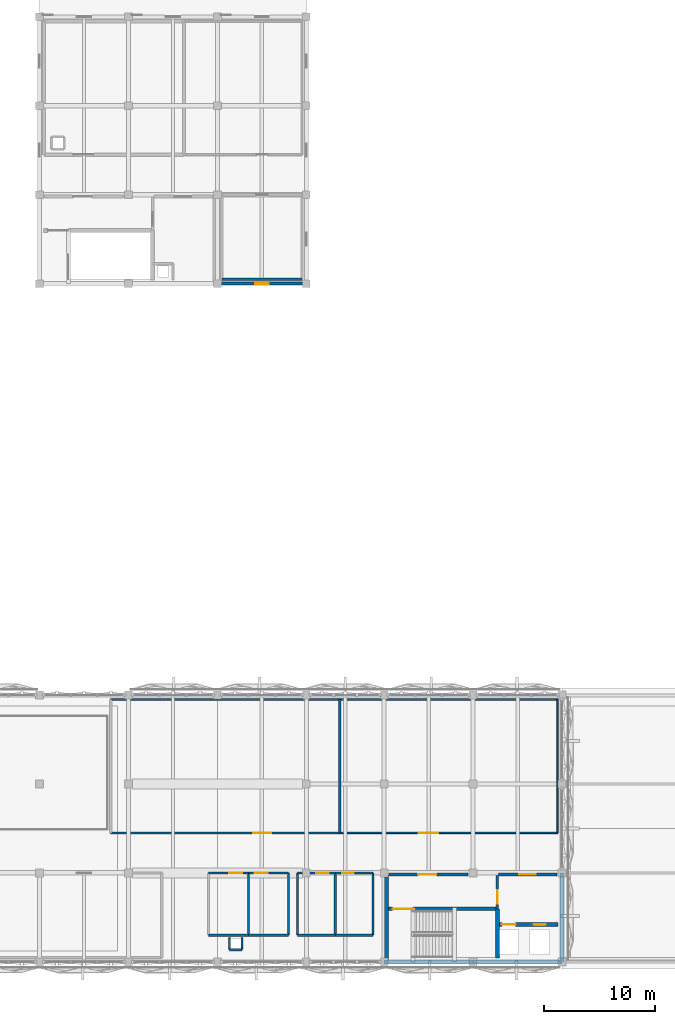
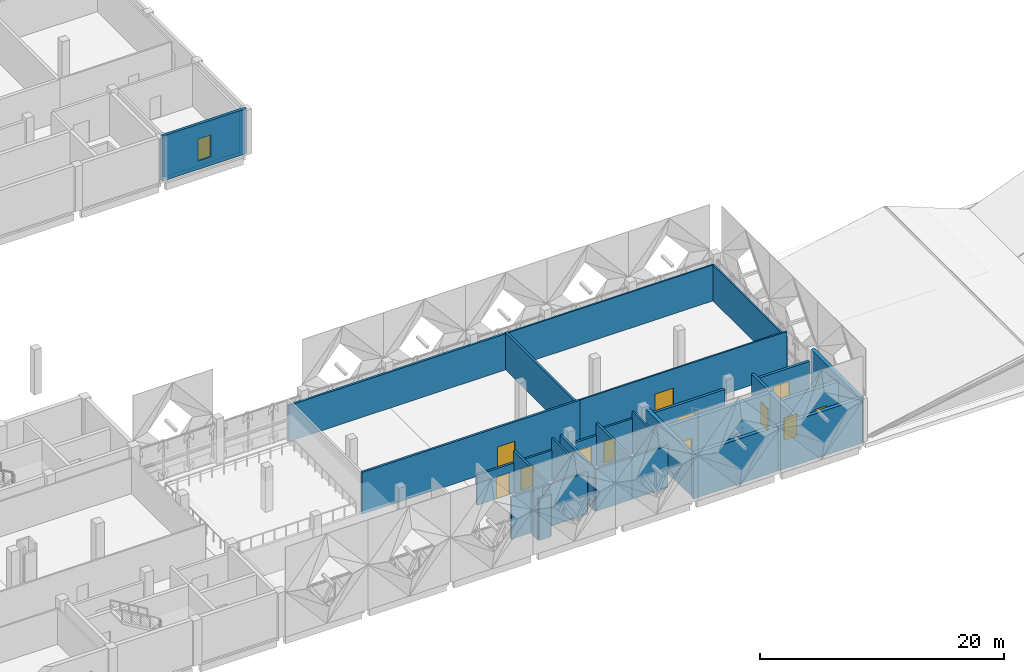
# One storey, part 24 of 37: 34 walls, 12 doors, 1 window, 13 openings.
"""IFC4 building model written with IfcOpenShell, lengths in metres."""

import ifcopenshell
import ifcopenshell.guid

model = None  # the IFC model being written
_history = None  # IfcOwnerHistory: only IFC2X3 demands one
_inside = {}  # id of a spatial element -> (the spatial element, [elements in it])
_under = {}  # id of a project, library or spatial element -> (it, [spatial elements below it])
_declared = {}  # id of a project -> (the project, [libraries it declares])
_typed = {}  # id of a type object -> (the type object, [elements of that type])
_made_of = {}  # id of a material, layer set ... -> (it, [elements and type objects made of it])


def new_model(schema):
    """Start an empty IFC model of exactly this schema.

    Asked for "IFC4X3", IfcOpenShell would pick the latest addendum, in which some entities
    have other attributes; the version numbers below select the first issue.
    IFC2X3 requires an IfcOwnerHistory on every rooted entity: one is made here for all.
    """
    global model, _history
    if schema == "IFC4X3":
        model = ifcopenshell.file(schema_version=(4, 3, 0, 0))
    else:
        model = ifcopenshell.file(schema=schema)
    _inside.clear()
    _under.clear()
    _declared.clear()
    _typed.clear()
    _made_of.clear()
    _history = None
    if model.schema == "IFC2X3":
        org = make("IfcOrganization", Name="unknown")
        user = make(
            "IfcPersonAndOrganization",
            ThePerson=make("IfcPerson", FamilyName="unknown"),
            TheOrganization=org,
        )
        app = make(
            "IfcApplication",
            ApplicationDeveloper=org,
            Version="unknown",
            ApplicationFullName="unknown",
            ApplicationIdentifier="unknown",
        )
        _history = make(
            "IfcOwnerHistory",
            OwningUser=user,
            OwningApplication=app,
            ChangeAction="ADDED",
            CreationDate=0,
        )
    return model


def make(cls, **values):
    """One entity of the class cls with the attributes given. An attribute that is None is left unset."""
    return model.create_entity(
        cls, **{name: value for name, value in values.items() if value is not None}
    )


def rooted(cls, **values):
    """An entity with a GlobalId (a new one), such as an element, a storey or a relation."""
    return make(cls, GlobalId=ifcopenshell.guid.new(), OwnerHistory=_history, **values)


def si_unit(unit_type, name, prefix=None):
    """IfcSIUnit, for example si_unit("LENGTHUNIT", "METRE", prefix="MILLI")."""
    return make("IfcSIUnit", UnitType=unit_type, Prefix=prefix, Name=name)


def assignment(units):
    """IfcUnitAssignment: the units of a project."""
    return None if units is None else make("IfcUnitAssignment", Units=units)


def point(xyz):
    """IfcCartesianPoint."""
    return None if xyz is None else make("IfcCartesianPoint", Coordinates=xyz)


def direction(xyz):
    """IfcDirection."""
    return None if xyz is None else make("IfcDirection", DirectionRatios=xyz)


def frame(location, z_axis=None, x_axis=None):
    """IfcAxis2Placement3D, a coordinate frame: its origin and axes. An axis left out is left unset."""
    return make(
        "IfcAxis2Placement3D",
        Location=point(location),
        Axis=direction(z_axis),
        RefDirection=direction(x_axis),
    )


def frame_2d(location, x_axis=None):
    """IfcAxis2Placement2D, a coordinate frame in the plane: its origin and x axis."""
    return make(
        "IfcAxis2Placement2D", Location=point(location), RefDirection=direction(x_axis)
    )


def origin():
    """The frame at (0, 0, 0) with its axes left unset."""
    return frame((0.0, 0.0, 0.0))


def place(relative_to, where):
    """IfcLocalPlacement: puts the frame where relative to a parent placement (None: the world)."""
    return make(
        "IfcLocalPlacement", PlacementRelTo=relative_to, RelativePlacement=where
    )


def context(
    kind, dimensions, precision=None, world=None, true_north=None, identifier=None
):
    """IfcGeometricRepresentationContext, for example the 3D "Model" context."""
    return make(
        "IfcGeometricRepresentationContext",
        ContextIdentifier=identifier,
        ContextType=kind,
        CoordinateSpaceDimension=dimensions,
        Precision=precision,
        WorldCoordinateSystem=world,
        TrueNorth=true_north,
    )


def subcontext(parent, identifier, kind, view, scale=None):
    """IfcGeometricRepresentationSubContext, for example "Body" below "Model"."""
    return make(
        "IfcGeometricRepresentationSubContext",
        ContextIdentifier=identifier,
        ContextType=kind,
        ParentContext=parent,
        TargetScale=scale,
        TargetView=view,
    )


def project(units=None, contexts=None):
    """IfcProject with its units and contexts."""
    return rooted(
        "IfcProject",
        Name="project",
        RepresentationContexts=contexts,
        UnitsInContext=assignment(units),
    )


def spatial(cls, under=None, at=None, **own):
    """A site, building, storey or space (cls), placed at a placement, below another one or the project."""
    s = rooted(cls, ObjectPlacement=at, **own)
    if under is not None:
        _under.setdefault(under.id(), (under, []))[1].append(s)
    return s


def profile(cls, at=None, kind="AREA", **sizes):
    """A parametric profile (cls). Its sizes go by their IFC names, for example OverallWidth=200.0."""
    return make(cls, ProfileType=kind, Position=at, **sizes)


def rectangle(**sizes):
    """IfcRectangleProfileDef."""
    return profile("IfcRectangleProfileDef", **sizes)


def extrude(swept, where, along, depth):
    """IfcExtrudedAreaSolid: the profile swept, set in the frame where, extruded along a direction by depth."""
    return make(
        "IfcExtrudedAreaSolid",
        SweptArea=swept,
        Position=where,
        ExtrudedDirection=direction(along),
        Depth=depth,
    )


def shape(context_of_items, identifier, shape_type, items):
    """IfcShapeRepresentation: the items that make up one representation, for example the "Body"."""
    return make(
        "IfcShapeRepresentation",
        ContextOfItems=context_of_items,
        RepresentationIdentifier=identifier,
        RepresentationType=shape_type,
        Items=items,
    )


def material(Name=None, Category=None):
    """IfcMaterial."""
    return make("IfcMaterial", Name=Name, Category=Category)


def layer(
    of_material, thickness, ventilated=None, Name=None, Category=None, Priority=None
):
    """IfcMaterialLayer: one layer of a wall or slab, of a material (None: an air gap)."""
    return make(
        "IfcMaterialLayer",
        Material=of_material,
        LayerThickness=thickness,
        IsVentilated=ventilated,
        Name=Name,
        Category=Category,
        Priority=Priority,
    )


def layer_set(layers, Name=None):
    """IfcMaterialLayerSet."""
    return make("IfcMaterialLayerSet", MaterialLayers=layers, LayerSetName=Name)


def made_of(thing, what):
    """Note that an element or type object is made of a material, layer set ...; save() writes the relation."""
    if what is not None:
        _made_of.setdefault(what.id(), (what, []))[1].append(thing)
    return thing


def type_object(cls, material=None, **own):
    """A type object (cls), such as IfcWallType, which elements share."""
    return made_of(rooted(cls, **own), material)


def element(
    cls,
    number,
    at=None,
    inside=None,
    cuts=None,
    type_object=None,
    material=None,
    context=None,
    identifier="Body",
    shape_type=None,
    held_by="IfcProductDefinitionShape",
    body=None,
    shapes=None,
    **own,
):
    """One element of the class cls, such as IfcWall. Its Tag is "e" and its number.

    at: its placement. inside: the storey or other place that contains it. cuts: it is an
    opening in that element (IfcRelVoidsElement). A single representation is given by context,
    identifier, shape_type and body (its items); several are given by shapes. held_by: the class
    of the entity that holds the representations. save() writes the other relations.
    """
    e = rooted(cls, Tag="e%d" % number, ObjectPlacement=at, **own)
    if body is not None:
        shapes = [shape(context, identifier, shape_type, body)]
    if shapes is not None:
        e.Representation = make(held_by, Representations=shapes)
    if inside is not None:
        _inside.setdefault(inside.id(), (inside, []))[1].append(e)
    if cuts is not None:
        rooted(
            "IfcRelVoidsElement", RelatingBuildingElement=cuts, RelatedOpeningElement=e
        )
    if type_object is not None:
        _typed.setdefault(type_object.id(), (type_object, []))[1].append(e)
    return made_of(e, material)


def fill(opening, filler):
    """IfcRelFillsElement: the door or window that sits in an opening."""
    return rooted(
        "IfcRelFillsElement",
        RelatingOpeningElement=opening,
        RelatedBuildingElement=filler,
    )


def aggregate(whole, parts):
    """IfcRelAggregates: a whole, such as a stair, and the parts it consists of."""
    return rooted("IfcRelAggregates", RelatingObject=whole, RelatedObjects=parts)


def save(model, path):
    """Write the relations noted so far, then the file.

    IfcRelAggregates (storeys below a building ...), IfcRelContainedInSpatialStructure (elements
    in a storey), IfcRelDefinesByType, IfcRelAssociatesMaterial and IfcRelDeclares: one each for
    every whole, place, type object, material and project.
    """
    for whole, parts in _under.values():
        aggregate(whole, parts)
    for where, things in _inside.values():
        rooted(
            "IfcRelContainedInSpatialStructure",
            RelatedElements=things,
            RelatingStructure=where,
        )
    for kind, things in _typed.values():
        rooted("IfcRelDefinesByType", RelatedObjects=things, RelatingType=kind)
    for what, things in _made_of.values():
        rooted("IfcRelAssociatesMaterial", RelatedObjects=things, RelatingMaterial=what)
    for by, libraries in _declared.values():
        rooted("IfcRelDeclares", RelatingContext=by, RelatedDefinitions=libraries)
    model.write(path)


model = new_model("IFC4")

# Units and contexts
model_context = context("Model", 3, precision=1e-05, world=origin(), true_north=direction((0.0, 1.0)))
body_context = subcontext(model_context, "Body", "Model", "MODEL_VIEW")
ifc_project = project(units=[si_unit("LENGTHUNIT", "METRE"), si_unit("AREAUNIT", "SQUARE_METRE"), si_unit("VOLUMEUNIT", "CUBIC_METRE"), si_unit("PLANEANGLEUNIT", "RADIAN"), si_unit("MASSUNIT", "GRAM", prefix="KILO")], contexts=[model_context])

# Site, building, storey
site_placement = place(None, origin())
site = spatial("IfcSite", under=ifc_project, at=site_placement, CompositionType="ELEMENT")
building_placement = place(site_placement, origin())
building = spatial("IfcBuilding", under=site, at=building_placement, Name="Qorikala Patio Media Centre", CompositionType="ELEMENT")
storey_placement = place(building_placement, frame((0.0, 0.0, 14.39990234375)))
storey = spatial("IfcBuildingStorey", under=building, at=storey_placement, Name="L03", CompositionType="ELEMENT", Elevation=14.39990234375)

# Walls
ifc_material_1 = material(Name="Concrete C35/45", Category="concrete")
ifc_layer_1 = layer(ifc_material_1, 0.35009765625)
ifc_layer_set_1 = layer_set([ifc_layer_1], Name="Concrete C35/45")
wall_type_1 = type_object("IfcWallType", Name="WL-CORE-350", PredefinedType="SHEAR", material=ifc_layer_set_1)
for number, where, z_axis, x_axis, name in (
    (1, (98.0, 11.0, 0.0), (0.0, 0.0, 1.0), (0.0, -1.0, 0.0), "L03 Core C4 Exterior Shear Wall"),
    (2, (98.0, 3.0, 0.0), (0.0, 0.0, 1.0), (-1.0, 0.0, 0.0), "L03 Core C4 Exterior Shear Wall"),
    (3, (90.0, 3.0, 0.0), (0.0, 0.0, 1.0), (-1.0, 0.0, 0.0), "L03 Core C4 Exterior Shear Wall"),
):
    element("IfcWall", number, at=place(storey_placement, frame(where, z_axis=z_axis, x_axis=x_axis)), inside=storey, type_object=wall_type_1, Name=name, PredefinedType="SHEAR", context=body_context, shape_type="SweptSolid", body=[
        extrude(rectangle(XDim=8.0, YDim=0.35009765625, at=frame_2d((4.0, 0.0))), origin(), (0.0, 0.0, 1.0), 4.5),
    ])
wall_1_placement = place(storey_placement, frame((82.22509765625, 3.199951171875, 0.0), z_axis=(0.0, 0.0, 1.0), x_axis=(0.0, 1.0, 0.0)))
element("IfcWall", 4, at=wall_1_placement, inside=storey, type_object=wall_type_1, Name="L03 Interior Wall CW-L03-C4-SW", PredefinedType="SHEAR", context=body_context, shape_type="SweptSolid", body=[
    extrude(rectangle(XDim=7.60009765625, YDim=0.35009765625, at=frame_2d((3.800048828125, 0.0))), origin(), (0.0, 0.0, 1.0), 4.2001953125),
])
wall_2_placement = place(storey_placement, frame((92.175048828125, 3.35009765625, 0.0), z_axis=(0.0, 0.0, 1.0), x_axis=(0.0, 1.0, 0.0)))
element("IfcWall", 5, at=wall_2_placement, inside=storey, type_object=wall_type_1, Name="L03 Interior Wall CW-L03-C4-SE", PredefinedType="SHEAR", context=body_context, shape_type="SweptSolid", body=[
    extrude(rectangle(XDim=4.4248046875, YDim=0.35009765625, at=frame_2d((2.21240234375, 0.0))), origin(), (0.0, 0.0, 1.0), 4.2001953125),
])

# Wall, opening, door
wall_3_placement = place(storey_placement, frame((82.35009765625, 7.77490234375, 0.0), z_axis=(0.0, 0.0, 1.0), x_axis=(1.0, 0.0, 0.0)))
wall_3 = element("IfcWall", 6, at=wall_3_placement, inside=storey, type_object=wall_type_1, Name="L03 Interior Wall CW-L03-C4-SN", PredefinedType="SHEAR", context=body_context, shape_type="SweptSolid", body=[
    extrude(rectangle(XDim=9.824951171875, YDim=0.35009765625, at=frame_2d((4.91259765625, 0.0))), origin(), (0.0, 0.0, 1.0), 4.2001953125),
])
opening_1_placement = place(wall_3_placement, frame((0.39990234375, 0.0, 0.0)))
opening_1 = element("IfcOpeningElement", 7, at=opening_1_placement, cuts=wall_3, Name="Opening D135", PredefinedType="OPENING", context=body_context, shape_type="SweptSolid", body=[
    extrude(rectangle(XDim=1.85009765625, YDim=2.25, at=frame_2d((0.925048828125, 1.125))), frame((0.0, 0.18505859375, 0.0), z_axis=(0.0, -1.0, 0.0), x_axis=(1.0, 0.0, 0.0)), (0.0, 0.0, 1.0), 0.3701171875),
])
ifc_material_2 = material(Name="Powder-Coated Acoustic Fire Steel", Category="steel")
door_type_1 = type_object("IfcDoorType", Name="DR-FD60-185X225", OperationType="DOUBLE_DOOR_SINGLE_SWING", PredefinedType="DOOR", material=ifc_material_2)
door_1_placement = place(opening_1_placement, origin())
door_1 = element("IfcDoor", 8, at=door_1_placement, inside=storey, type_object=door_type_1, Name="L03 Stair ST-4 Fire Door", OperationType="DOUBLE_DOOR_SINGLE_SWING", OverallHeight=2.25, OverallWidth=1.85009765625, PredefinedType="DOOR", context=body_context, shape_type="SweptSolid", body=[
    extrude(rectangle(XDim=1.85009765625, YDim=2.25, at=frame_2d((0.925048828125, 1.125))), frame((0.0, 0.02490234375, 0.0), z_axis=(0.0, -1.0, 0.0), x_axis=(1.0, 0.0, 0.0)), (0.0, 0.0, 1.0), 0.050048828125),
])
fill(opening_1, door_1)

# Wall, openings, doors
wall_4_placement = place(storey_placement, frame((92.175048828125, 6.375, 0.0), z_axis=(0.0, 0.0, 1.0), x_axis=(1.0, 0.0, 0.0)))
wall_4 = element("IfcWall", 9, at=wall_4_placement, inside=storey, type_object=wall_type_1, Name="L03 Interior Wall CW-L03-C4-LFN", PredefinedType="SHEAR", context=body_context, shape_type="SweptSolid", body=[
    extrude(rectangle(XDim=5.474853515625, YDim=0.35009765625, at=frame_2d((2.7373046875, 0.0))), origin(), (0.0, 0.0, 1.0), 4.2001953125),
])
opening_2_placement = place(wall_4_placement, frame((0.39990234375, 0.0, 0.0)))
opening_2 = element("IfcOpeningElement", 10, at=opening_2_placement, cuts=wall_4, Name="Opening LD37", PredefinedType="OPENING", context=body_context, shape_type="SweptSolid", body=[
    extrude(rectangle(XDim=1.25, YDim=2.25, at=frame_2d((0.625, 1.125))), frame((0.0, 0.18505859375, 0.0), z_axis=(0.0, -1.0, 0.0), x_axis=(1.0, 0.0, 0.0)), (0.0, 0.0, 1.0), 0.3701171875),
])
opening_3_placement = place(wall_4_placement, frame((3.27490234375, 0.0, 0.0)))
opening_3 = element("IfcOpeningElement", 11, at=opening_3_placement, cuts=wall_4, Name="Opening LD38", PredefinedType="OPENING", context=body_context, shape_type="SweptSolid", body=[
    extrude(rectangle(XDim=1.10009765625, YDim=2.199951171875, at=frame_2d((0.550048828125, 1.10009765625))), frame((0.0, 0.18505859375, 0.0), z_axis=(0.0, -1.0, 0.0), x_axis=(1.0, 0.0, 0.0)), (0.0, 0.0, 1.0), 0.3701171875),
])
ifc_material_3 = material(Name="Brushed Bronze Stainless Steel", Category="steel")
door_type_2 = type_object("IfcDoorType", Name="DR-LD-110X220", OperationType="DOUBLE_DOOR_SLIDING", PredefinedType="DOOR", material=ifc_material_3)
door_2_placement = place(opening_3_placement, origin())
door_2 = element("IfcDoor", 12, at=door_2_placement, inside=storey, type_object=door_type_2, Name="L03 Lift LP-02 Sliding Landing Door", OperationType="DOUBLE_DOOR_SLIDING", OverallHeight=2.199951171875, OverallWidth=1.10009765625, PredefinedType="DOOR", context=body_context, shape_type="SweptSolid", body=[
    extrude(rectangle(XDim=1.10009765625, YDim=2.199951171875, at=frame_2d((0.550048828125, 1.10009765625))), frame((0.0, 0.02490234375, 0.0), z_axis=(0.0, -1.0, 0.0), x_axis=(1.0, 0.0, 0.0)), (0.0, 0.0, 1.0), 0.050048828125),
])
fill(opening_3, door_2)
door_type_3 = type_object("IfcDoorType", Name="DR-LD-125X225", OperationType="DOUBLE_DOOR_SLIDING", PredefinedType="DOOR", material=ifc_material_3)
door_3_placement = place(opening_2_placement, origin())
door_3 = element("IfcDoor", 13, at=door_3_placement, inside=storey, type_object=door_type_3, Name="L03 Lift LP-01 Sliding Landing Door", OperationType="DOUBLE_DOOR_SLIDING", OverallHeight=2.25, OverallWidth=1.25, PredefinedType="DOOR", context=body_context, shape_type="SweptSolid", body=[
    extrude(rectangle(XDim=1.25, YDim=2.25, at=frame_2d((0.625, 1.125))), frame((0.0, 0.02490234375, 0.0), z_axis=(0.0, -1.0, 0.0), x_axis=(1.0, 0.0, 0.0)), (0.0, 0.0, 1.0), 0.050048828125),
])
fill(opening_2, door_3)

# Wall, opening, door
ifc_layer_2 = layer(ifc_material_1, 0.25)
ifc_layer_set_2 = layer_set([ifc_layer_2], Name="Concrete C35/45")
wall_type_2 = type_object("IfcWallType", Name="WL-FFL-250", PredefinedType="PARTITIONING", material=ifc_layer_set_2)
wall_5_placement = place(storey_placement, frame((92.175048828125, 7.77490234375, 0.0), z_axis=(0.0, 0.0, 1.0), x_axis=(0.0, 1.0, 0.0)))
wall_5 = element("IfcWall", 14, at=wall_5_placement, inside=storey, type_object=wall_type_2, Name="L03 Interior Wall CW-L03-C4-LBD", PredefinedType="PARTITIONING", context=body_context, shape_type="SweptSolid", body=[
    extrude(rectangle(XDim=2.97509765625, YDim=0.25, at=frame_2d((1.487548828125, 0.0))), origin(), (0.0, 0.0, 1.0), 4.2001953125),
])
opening_4_placement = place(wall_5_placement, frame((0.449951171875, 0.0, 0.0)))
opening_4 = element("IfcOpeningElement", 15, at=opening_4_placement, cuts=wall_5, Name="Opening D136", PredefinedType="OPENING", context=body_context, shape_type="SweptSolid", body=[
    extrude(rectangle(XDim=1.199951171875, YDim=2.199951171875, at=frame_2d((0.60009765625, 1.10009765625))), frame((0.0, 0.135009765625, 0.0), z_axis=(0.0, -1.0, 0.0), x_axis=(1.0, 0.0, 0.0)), (0.0, 0.0, 1.0), 0.27001953125),
])
ifc_material_4 = material(Name="Acoustic Fire Timber and Steel", Category="steel")
door_type_4 = type_object("IfcDoorType", Name="DR-FD60-120X220", OperationType="NOTDEFINED", PredefinedType="DOOR", material=ifc_material_4)
door_4_placement = place(opening_4_placement, origin())
door_4 = element("IfcDoor", 16, at=door_4_placement, inside=storey, type_object=door_type_4, Name="L03 Core C4 Firefighting Lobby Cross Door", OperationType="SINGLE_SWING_LEFT", OverallHeight=2.199951171875, OverallWidth=1.199951171875, PredefinedType="DOOR", context=body_context, shape_type="SweptSolid", body=[
    extrude(rectangle(XDim=1.199951171875, YDim=2.199951171875, at=frame_2d((0.60009765625, 1.10009765625))), frame((0.0, 0.02490234375, 0.0), z_axis=(0.0, -1.0, 0.0), x_axis=(1.0, 0.0, 0.0)), (0.0, 0.0, 1.0), 0.050048828125),
])
fill(opening_4, door_4)

wall_6_placement = place(storey_placement, frame((82.449951171875, 10.85009765625, 0.0), z_axis=(0.0, 0.0, 1.0), x_axis=(1.0, 0.0, 0.0)))
wall_6 = element("IfcWall", 17, at=wall_6_placement, inside=storey, type_object=wall_type_2, Name="L03 Interior Wall CW-L03-C4-CN1", PredefinedType="PARTITIONING", context=body_context, shape_type="SweptSolid", body=[
    extrude(rectangle(XDim=7.10009765625, YDim=0.25, at=frame_2d((3.550048828125, 0.0))), origin(), (0.0, 0.0, 1.0), 3.53515625),
])
opening_5_placement = place(wall_6_placement, frame((2.60009765625, 0.0, 0.0)))
opening_5 = element("IfcOpeningElement", 18, at=opening_5_placement, cuts=wall_6, Name="Opening D137", PredefinedType="OPENING", context=body_context, shape_type="SweptSolid", body=[
    extrude(rectangle(XDim=1.64990234375, YDim=2.25, at=frame_2d((0.824951171875, 1.125))), frame((0.0, 0.135009765625, 0.0), z_axis=(0.0, -1.0, 0.0), x_axis=(1.0, 0.0, 0.0)), (0.0, 0.0, 1.0), 0.27001953125),
])
door_type_5 = type_object("IfcDoorType", Name="DR-FD60-165X225", OperationType="DOUBLE_DOOR_SINGLE_SWING", PredefinedType="DOOR", material=ifc_material_2)
door_5_placement = place(opening_5_placement, frame((1.64990234375, 0.0, 0.0), z_axis=(0.0, 0.0, 1.0), x_axis=(-1.0, 0.0, 0.0)))
door_5 = element("IfcDoor", 19, at=door_5_placement, inside=storey, type_object=door_type_5, Name="L03 Core C4 Vestibule Door", OperationType="DOUBLE_DOOR_SINGLE_SWING", OverallHeight=2.25, OverallWidth=1.64990234375, PredefinedType="DOOR", context=body_context, shape_type="SweptSolid", body=[
    extrude(rectangle(XDim=1.64990234375, YDim=2.25, at=frame_2d((0.824951171875, 1.125))), frame((0.0, 0.02490234375, 0.0), z_axis=(0.0, -1.0, 0.0), x_axis=(1.0, 0.0, 0.0)), (0.0, 0.0, 1.0), 0.050048828125),
])
fill(opening_5, door_5)

wall_7_placement = place(storey_placement, frame((92.300048828125, 10.85009765625, 0.0), z_axis=(0.0, 0.0, 1.0), x_axis=(1.0, 0.0, 0.0)))
wall_7 = element("IfcWall", 20, at=wall_7_placement, inside=storey, type_object=wall_type_2, Name="L03 Interior Wall CW-L03-C4-CN2", PredefinedType="PARTITIONING", context=body_context, shape_type="SweptSolid", body=[
    extrude(rectangle(XDim=5.25, YDim=0.25, at=frame_2d((2.625, 0.0))), origin(), (0.0, 0.0, 1.0), 3.53515625),
])
opening_6_placement = place(wall_7_placement, frame((1.85009765625, 0.0, 0.0)))
opening_6 = element("IfcOpeningElement", 21, at=opening_6_placement, cuts=wall_7, Name="Opening D138", PredefinedType="OPENING", context=body_context, shape_type="SweptSolid", body=[
    extrude(rectangle(XDim=1.5, YDim=2.199951171875, at=frame_2d((0.75, 1.10009765625))), frame((0.0, 0.135009765625, 0.0), z_axis=(0.0, -1.0, 0.0), x_axis=(1.0, 0.0, 0.0)), (0.0, 0.0, 1.0), 0.27001953125),
])
door_type_6 = type_object("IfcDoorType", Name="DR-FD60-150X220", OperationType="DOUBLE_DOOR_SINGLE_SWING", PredefinedType="DOOR", material=ifc_material_2)
door_6_placement = place(opening_6_placement, origin())
door_6 = element("IfcDoor", 22, at=door_6_placement, inside=storey, type_object=door_type_6, Name="L03 Core C4 Firefighting Lobby Door", OperationType="DOUBLE_DOOR_SINGLE_SWING", OverallHeight=2.199951171875, OverallWidth=1.5, PredefinedType="DOOR", context=body_context, shape_type="SweptSolid", body=[
    extrude(rectangle(XDim=1.5, YDim=2.199951171875, at=frame_2d((0.75, 1.10009765625))), frame((0.0, 0.02490234375, 0.0), z_axis=(0.0, -1.0, 0.0), x_axis=(1.0, 0.0, 0.0)), (0.0, 0.0, 1.0), 0.050048828125),
])
fill(opening_6, door_6)

# Wall, opening, window
ifc_material_5 = material(Name="Warm Ochre Lime Stucco and Concrete C35/45", Category="concrete")
ifc_layer_3 = layer(ifc_material_5, 0.280029296875)
ifc_layer_set_3 = layer_set([ifc_layer_3], Name="Warm Ochre Lime Stucco and Concrete C35/45")
wall_type_3 = type_object("IfcWallType", Name="WL-OCHRE-280", PredefinedType="SOLIDWALL", material=ifc_layer_set_3)
wall_8_placement = place(storey_placement, frame((75.0, 64.0, 0.0), z_axis=(0.0, 0.0, 1.0), x_axis=(-1.0, 0.0, 0.0)))
wall_8 = element("IfcWall", 23, at=wall_8_placement, inside=storey, type_object=wall_type_3, Name="L03 Exterior Wall WL-L03-EXT-0038", PredefinedType="SOLIDWALL", context=body_context, shape_type="SweptSolid", body=[
    extrude(rectangle(XDim=8.0, YDim=0.280029296875, at=frame_2d((4.0, 0.0))), origin(), (0.0, 0.0, 1.0), 4.5),
])
opening_7_placement = place(wall_8_placement, frame((3.39990234375, 0.0, 0.85009765625)))
opening_7 = element("IfcOpeningElement", 24, at=opening_7_placement, cuts=wall_8, Name="Opening WC-120", PredefinedType="OPENING", context=body_context, shape_type="SweptSolid", body=[
    extrude(rectangle(XDim=1.199951171875, YDim=2.199951171875, at=frame_2d((0.60009765625, 1.10009765625))), frame((0.0, 0.14990234375, 0.0), z_axis=(0.0, -1.0, 0.0), x_axis=(1.0, 0.0, 0.0)), (0.0, 0.0, 1.0), 0.300048828125),
])
ifc_material_6 = material(Name="Bronze Anodised Aluminium and Low-E Glass", Category="aluminium")
window_type = type_object("IfcWindowType", Name="WN-COL-120X220", PartitioningType="SINGLE_PANEL", PredefinedType="WINDOW", material=ifc_material_6)
window_placement = place(opening_7_placement, origin())
window = element("IfcWindow", 25, at=window_placement, inside=storey, type_object=window_type, Name="L03 Colonial Tall Window 0210", OverallHeight=2.199951171875, OverallWidth=1.199951171875, PartitioningType="SINGLE_PANEL", PredefinedType="WINDOW", context=body_context, shape_type="SweptSolid", body=[
    extrude(rectangle(XDim=1.199951171875, YDim=2.199951171875, at=frame_2d((0.60009765625, 1.10009765625))), frame((0.0, 0.030029296875, 0.0), z_axis=(0.0, -1.0, 0.0), x_axis=(1.0, 0.0, 0.0)), (0.0, 0.0, 1.0), 0.06005859375),
])
fill(opening_7, window)

# Wall, opening, door
ifc_material_7 = material(Name="Acoustic Gypsum Stud Partition")
ifc_layer_4 = layer(ifc_material_7, 0.14990234375)
ifc_layer_set_4 = layer_set([ifc_layer_4], Name="Acoustic Gypsum Stud Partition")
wall_type_4 = type_object("IfcWallType", Name="WL-PT-150", PredefinedType="PARTITIONING", material=ifc_layer_set_4)
wall_9_placement = place(storey_placement, frame((78.0, 14.60009765625, 0.0), z_axis=(0.0, 0.0, 1.0), x_axis=(1.0, 0.0, 0.0)))
wall_9 = element("IfcWall", 26, at=wall_9_placement, inside=storey, type_object=wall_type_4, Name="L03 Interior Wall WINT-L03-VCAR-S", PredefinedType="PARTITIONING", context=body_context, shape_type="SweptSolid", body=[
    extrude(rectangle(XDim=19.60009765625, YDim=0.14990234375, at=frame_2d((9.800048828125, 0.0))), origin(), (0.0, 0.0, 1.0), 4.2001953125),
])
opening_8_placement = place(wall_9_placement, frame((7.10888671875, 0.0, 0.0)))
opening_8 = element("IfcOpeningElement", 27, at=opening_8_placement, cuts=wall_9, Name="Opening D288", PredefinedType="OPENING", context=body_context, shape_type="SweptSolid", body=[
    extrude(rectangle(XDim=1.75, YDim=2.300048828125, at=frame_2d((0.875, 1.14990234375))), frame((0.0, 0.0849609375, 0.0), z_axis=(0.0, -1.0, 0.0), x_axis=(1.0, 0.0, 0.0)), (0.0, 0.0, 1.0), 0.169921875),
])
ifc_material_8 = material(Name="Solid Andean Cedar Timber", Category="wood")
door_type_7 = type_object("IfcDoorType", Name="DR-IN-175X230", OperationType="DOUBLE_DOOR_SINGLE_SWING", PredefinedType="DOOR", material=ifc_material_8)
door_7_placement = place(opening_8_placement, origin())
door_7 = element("IfcDoor", 28, at=door_7_placement, inside=storey, type_object=door_type_7, Name="Viewing Carrels and Listening Lounge Door 077", OperationType="DOUBLE_DOOR_SINGLE_SWING", OverallHeight=2.300048828125, OverallWidth=1.75, PredefinedType="DOOR", context=body_context, shape_type="SweptSolid", body=[
    extrude(rectangle(XDim=1.75, YDim=2.300048828125, at=frame_2d((0.875, 1.14990234375))), frame((0.0, 0.02490234375, 0.0), z_axis=(0.0, -1.0, 0.0), x_axis=(1.0, 0.0, 0.0)), (0.0, 0.0, 1.0), 0.050048828125),
])
fill(opening_8, door_7)

# Walls
wall_10_placement = place(storey_placement, frame((97.60009765625, 14.60009765625, 0.0), z_axis=(0.0, 0.0, 1.0), x_axis=(0.0, 1.0, 0.0)))
element("IfcWall", 29, at=wall_10_placement, inside=storey, type_object=wall_type_4, Name="L03 Interior Wall WINT-L03-VCAR-E", PredefinedType="PARTITIONING", context=body_context, shape_type="SweptSolid", body=[
    extrude(rectangle(XDim=12.0, YDim=0.14990234375, at=frame_2d((6.0, 0.0))), origin(), (0.0, 0.0, 1.0), 3.60498046875),
])
wall_11_placement = place(storey_placement, frame((78.0, 26.60009765625, 0.0), z_axis=(0.0, 0.0, 1.0), x_axis=(1.0, 0.0, 0.0)))
element("IfcWall", 30, at=wall_11_placement, inside=storey, type_object=wall_type_4, Name="L03 Interior Wall WINT-L03-VCAR-N", PredefinedType="PARTITIONING", context=body_context, shape_type="SweptSolid", body=[
    extrude(rectangle(XDim=19.60009765625, YDim=0.14990234375, at=frame_2d((9.800048828125, 0.0))), origin(), (0.0, 0.0, 1.0), 3.60498046875),
])

# Wall, opening, door
ifc_material_9 = material(Name="Acoustic Masonry and Plaster Concrete C30/37", Category="masonry")
ifc_layer_5 = layer(ifc_material_9, 0.199951171875)
ifc_layer_set_5 = layer_set([ifc_layer_5], Name="Acoustic Masonry and Plaster Concrete C30/37")
wall_type_5 = type_object("IfcWallType", Name="WL-ST-200", PredefinedType="PARTITIONING", material=ifc_layer_set_5)
wall_12_placement = place(storey_placement, frame((57.39990234375, 14.60009765625, 0.0), z_axis=(0.0, 0.0, 1.0), x_axis=(1.0, 0.0, 0.0)))
wall_12 = element("IfcWall", 31, at=wall_12_placement, inside=storey, type_object=wall_type_5, Name="L03 Interior Wall WINT-L03-LSTK-S", PredefinedType="PARTITIONING", context=body_context, shape_type="SweptSolid", body=[
    extrude(rectangle(XDim=20.60009765625, YDim=0.199951171875, at=frame_2d((10.300048828125, 0.0))), origin(), (0.0, 0.0, 1.0), 4.2001953125),
])
opening_9_placement = place(wall_12_placement, frame((12.802978515625, 0.0, 0.0)))
opening_9 = element("IfcOpeningElement", 32, at=opening_9_placement, cuts=wall_12, Name="Opening D287", PredefinedType="OPENING", context=body_context, shape_type="SweptSolid", body=[
    extrude(rectangle(XDim=1.64990234375, YDim=2.25, at=frame_2d((0.824951171875, 1.125))), frame((0.0, 0.10986328125, 0.0), z_axis=(0.0, -1.0, 0.0), x_axis=(1.0, 0.0, 0.0)), (0.0, 0.0, 1.0), 0.219970703125),
])
door_8_placement = place(opening_9_placement, origin())
door_8 = element("IfcDoor", 33, at=door_8_placement, inside=storey, type_object=door_type_5, Name="Media Library Stacks Door 076", OperationType="DOUBLE_DOOR_SINGLE_SWING", OverallHeight=2.25, OverallWidth=1.64990234375, PredefinedType="DOOR", context=body_context, shape_type="SweptSolid", body=[
    extrude(rectangle(XDim=1.64990234375, YDim=2.25, at=frame_2d((0.824951171875, 1.125))), frame((0.0, 0.02490234375, 0.0), z_axis=(0.0, -1.0, 0.0), x_axis=(1.0, 0.0, 0.0)), (0.0, 0.0, 1.0), 0.050048828125),
])
fill(opening_9, door_8)

# Walls
wall_13_placement = place(storey_placement, frame((78.0, 14.60009765625, 0.0), z_axis=(0.0, 0.0, 1.0), x_axis=(0.0, 1.0, 0.0)))
element("IfcWall", 34, at=wall_13_placement, inside=storey, type_object=wall_type_5, Name="L03 Interior Wall WINT-L03-LSTK-E", PredefinedType="PARTITIONING", context=body_context, shape_type="SweptSolid", body=[
    extrude(rectangle(XDim=12.0, YDim=0.199951171875, at=frame_2d((6.0, 0.0))), origin(), (0.0, 0.0, 1.0), 3.705078125),
])
wall_14_placement = place(storey_placement, frame((57.39990234375, 26.60009765625, 0.0), z_axis=(0.0, 0.0, 1.0), x_axis=(1.0, 0.0, 0.0)))
element("IfcWall", 35, at=wall_14_placement, inside=storey, type_object=wall_type_5, Name="L03 Interior Wall WINT-L03-LSTK-N", PredefinedType="PARTITIONING", context=body_context, shape_type="SweptSolid", body=[
    extrude(rectangle(XDim=20.60009765625, YDim=0.199951171875, at=frame_2d((10.300048828125, 0.0))), origin(), (0.0, 0.0, 1.0), 3.60498046875),
])
wall_15_placement = place(storey_placement, frame((66.199951171875, 5.39990234375, 0.0), z_axis=(0.0, 0.0, 1.0), x_axis=(1.0, 0.0, 0.0)))
element("IfcWall", 36, at=wall_15_placement, inside=storey, type_object=wall_type_5, Name="L03 Interior Wall WINT-L03-L3WMWC-S", PredefinedType="PARTITIONING", context=body_context, shape_type="SweptSolid", body=[
    extrude(rectangle(XDim=3.60009765625, YDim=0.199951171875, at=frame_2d((1.800048828125, 0.0))), origin(), (0.0, 0.0, 1.0), 4.2001953125),
])
wall_16_placement = place(storey_placement, frame((69.800048828125, 5.39990234375, 0.0), z_axis=(0.0, 0.0, 1.0), x_axis=(0.0, 1.0, 0.0)))
element("IfcWall", 37, at=wall_16_placement, inside=storey, type_object=wall_type_5, Name="L03 Interior Wall WINT-L03-L3WMWC-E", PredefinedType="PARTITIONING", context=body_context, shape_type="SweptSolid", body=[
    extrude(rectangle(XDim=5.60009765625, YDim=0.199951171875, at=frame_2d((2.800048828125, 0.0))), origin(), (0.0, 0.0, 1.0), 4.2001953125),
])

# Wall, opening, door
wall_17_placement = place(storey_placement, frame((66.199951171875, 11.0, 0.0), z_axis=(0.0, 0.0, 1.0), x_axis=(1.0, 0.0, 0.0)))
wall_17 = element("IfcWall", 38, at=wall_17_placement, inside=storey, type_object=wall_type_5, Name="L03 Interior Wall WINT-L03-L3WMWC-N", PredefinedType="PARTITIONING", context=body_context, shape_type="SweptSolid", body=[
    extrude(rectangle(XDim=3.60009765625, YDim=0.199951171875, at=frame_2d((1.800048828125, 0.0))), origin(), (0.0, 0.0, 1.0), 3.03515625),
])
opening_10_placement = place(wall_17_placement, frame((1.85009765625, 0.0, 0.0)))
opening_10 = element("IfcOpeningElement", 39, at=opening_10_placement, cuts=wall_17, Name="Opening D290", PredefinedType="OPENING", context=body_context, shape_type="SweptSolid", body=[
    extrude(rectangle(XDim=1.199951171875, YDim=2.199951171875, at=frame_2d((0.60009765625, 1.10009765625))), frame((0.0, 0.10986328125, 0.0), z_axis=(0.0, -1.0, 0.0), x_axis=(1.0, 0.0, 0.0)), (0.0, 0.0, 1.0), 0.219970703125),
])
door_9_placement = place(opening_10_placement, origin())
door_9 = element("IfcDoor", 40, at=door_9_placement, inside=storey, type_object=door_type_4, Name="Male Toilet Door 079", OperationType="SINGLE_SWING_LEFT", OverallHeight=2.199951171875, OverallWidth=1.199951171875, PredefinedType="DOOR", context=body_context, shape_type="SweptSolid", body=[
    extrude(rectangle(XDim=1.199951171875, YDim=2.199951171875, at=frame_2d((0.60009765625, 1.10009765625))), frame((0.0, 0.02490234375, 0.0), z_axis=(0.0, -1.0, 0.0), x_axis=(1.0, 0.0, 0.0)), (0.0, 0.0, 1.0), 0.050048828125),
])
fill(opening_10, door_9)

# Walls
wall_18_placement = place(storey_placement, frame((69.800048828125, 5.39990234375, 0.0), z_axis=(0.0, 0.0, 1.0), x_axis=(1.0, 0.0, 0.0)))
element("IfcWall", 41, at=wall_18_placement, inside=storey, type_object=wall_type_5, Name="L03 Interior Wall WINT-L03-L3WFWC-S", PredefinedType="PARTITIONING", context=body_context, shape_type="SweptSolid", body=[
    extrude(rectangle(XDim=3.599853515625, YDim=0.199951171875, at=frame_2d((1.7998046875, 0.0))), origin(), (0.0, 0.0, 1.0), 4.2001953125),
])
wall_19_placement = place(storey_placement, frame((73.39990234375, 5.39990234375, 0.0), z_axis=(0.0, 0.0, 1.0), x_axis=(0.0, 1.0, 0.0)))
element("IfcWall", 42, at=wall_19_placement, inside=storey, type_object=wall_type_5, Name="L03 Interior Wall WINT-L03-L3WFWC-E", PredefinedType="PARTITIONING", context=body_context, shape_type="SweptSolid", body=[
    extrude(rectangle(XDim=5.60009765625, YDim=0.199951171875, at=frame_2d((2.800048828125, 0.0))), origin(), (0.0, 0.0, 1.0), 4.2001953125),
])

# Wall, opening, door
wall_20_placement = place(storey_placement, frame((69.800048828125, 11.0, 0.0), z_axis=(0.0, 0.0, 1.0), x_axis=(1.0, 0.0, 0.0)))
wall_20 = element("IfcWall", 43, at=wall_20_placement, inside=storey, type_object=wall_type_5, Name="L03 Interior Wall WINT-L03-L3WFWC-N", PredefinedType="PARTITIONING", context=body_context, shape_type="SweptSolid", body=[
    extrude(rectangle(XDim=3.599853515625, YDim=0.199951171875, at=frame_2d((1.7998046875, 0.0))), origin(), (0.0, 0.0, 1.0), 3.03515625),
])
opening_11_placement = place(wall_20_placement, frame((0.574951171875, 0.0, 0.0)))
opening_11 = element("IfcOpeningElement", 44, at=opening_11_placement, cuts=wall_20, Name="Opening D291", PredefinedType="OPENING", context=body_context, shape_type="SweptSolid", body=[
    extrude(rectangle(XDim=1.14990234375, YDim=2.179931640625, at=frame_2d((0.574951171875, 1.08984375))), frame((0.0, 0.10986328125, 0.0), z_axis=(0.0, -1.0, 0.0), x_axis=(1.0, 0.0, 0.0)), (0.0, 0.0, 1.0), 0.219970703125),
])
door_type_8 = type_object("IfcDoorType", Name="DR-FD60-115X218", OperationType="NOTDEFINED", PredefinedType="DOOR", material=ifc_material_4)
door_10_placement = place(opening_11_placement, origin())
door_10 = element("IfcDoor", 45, at=door_10_placement, inside=storey, type_object=door_type_8, Name="Female Toilet Door 080", OperationType="SINGLE_SWING_RIGHT", OverallHeight=2.179931640625, OverallWidth=1.14990234375, PredefinedType="DOOR", context=body_context, shape_type="SweptSolid", body=[
    extrude(rectangle(XDim=1.14990234375, YDim=2.179931640625, at=frame_2d((0.574951171875, 1.08984375))), frame((0.0, 0.02490234375, 0.0), z_axis=(0.0, -1.0, 0.0), x_axis=(1.0, 0.0, 0.0)), (0.0, 0.0, 1.0), 0.050048828125),
])
fill(opening_11, door_10)

# Walls
wall_21_placement = place(storey_placement, frame((74.199951171875, 5.39990234375, 0.0), z_axis=(0.0, 0.0, 1.0), x_axis=(1.0, 0.0, 0.0)))
element("IfcWall", 46, at=wall_21_placement, inside=storey, type_object=wall_type_5, Name="L03 Interior Wall WINT-L03-L3WAWC-S", PredefinedType="PARTITIONING", context=body_context, shape_type="SweptSolid", body=[
    extrude(rectangle(XDim=3.400146484375, YDim=0.199951171875, at=frame_2d((1.7001953125, 0.0))), origin(), (0.0, 0.0, 1.0), 4.2001953125),
])
wall_22_placement = place(storey_placement, frame((77.60009765625, 5.39990234375, 0.0), z_axis=(0.0, 0.0, 1.0), x_axis=(0.0, 1.0, 0.0)))
element("IfcWall", 47, at=wall_22_placement, inside=storey, type_object=wall_type_5, Name="L03 Interior Wall WINT-L03-L3WAWC-E", PredefinedType="PARTITIONING", context=body_context, shape_type="SweptSolid", body=[
    extrude(rectangle(XDim=5.60009765625, YDim=0.199951171875, at=frame_2d((2.800048828125, 0.0))), origin(), (0.0, 0.0, 1.0), 4.2001953125),
])

# Wall, opening, door
wall_23_placement = place(storey_placement, frame((74.199951171875, 11.0, 0.0), z_axis=(0.0, 0.0, 1.0), x_axis=(1.0, 0.0, 0.0)))
wall_23 = element("IfcWall", 48, at=wall_23_placement, inside=storey, type_object=wall_type_5, Name="L03 Interior Wall WINT-L03-L3WAWC-N", PredefinedType="PARTITIONING", context=body_context, shape_type="SweptSolid", body=[
    extrude(rectangle(XDim=3.400146484375, YDim=0.199951171875, at=frame_2d((1.7001953125, 0.0))), origin(), (0.0, 0.0, 1.0), 3.03515625),
])
opening_12_placement = place(wall_23_placement, frame((1.699951171875, 0.0, 0.0)))
opening_12 = element("IfcOpeningElement", 49, at=opening_12_placement, cuts=wall_23, Name="Opening D292", PredefinedType="OPENING", context=body_context, shape_type="SweptSolid", body=[
    extrude(rectangle(XDim=1.10009765625, YDim=2.14990234375, at=frame_2d((0.550048828125, 1.074951171875))), frame((0.0, 0.10986328125, 0.0), z_axis=(0.0, -1.0, 0.0), x_axis=(1.0, 0.0, 0.0)), (0.0, 0.0, 1.0), 0.219970703125),
])
door_type_9 = type_object("IfcDoorType", Name="DR-FD60-110X215", OperationType="NOTDEFINED", PredefinedType="DOOR", material=ifc_material_4)
door_11_placement = place(opening_12_placement, origin())
door_11 = element("IfcDoor", 50, at=door_11_placement, inside=storey, type_object=door_type_9, Name="Accessible Toilet Door 081", OperationType="SINGLE_SWING_LEFT", OverallHeight=2.14990234375, OverallWidth=1.10009765625, PredefinedType="DOOR", context=body_context, shape_type="SweptSolid", body=[
    extrude(rectangle(XDim=1.10009765625, YDim=2.14990234375, at=frame_2d((0.550048828125, 1.074951171875))), frame((0.0, 0.02490234375, 0.0), z_axis=(0.0, -1.0, 0.0), x_axis=(1.0, 0.0, 0.0)), (0.0, 0.0, 1.0), 0.050048828125),
])
fill(opening_12, door_11)

# Walls
wall_24_placement = place(storey_placement, frame((74.199951171875, 5.39990234375, 0.0), z_axis=(0.0, 0.0, 1.0), x_axis=(0.0, 1.0, 0.0)))
element("IfcWall", 51, at=wall_24_placement, inside=storey, type_object=wall_type_5, Name="L03 Interior Wall WINT-L03-L3WAWC-W", PredefinedType="PARTITIONING", context=body_context, shape_type="SweptSolid", body=[
    extrude(rectangle(XDim=5.60009765625, YDim=0.199951171875, at=frame_2d((2.800048828125, 0.0))), origin(), (0.0, 0.0, 1.0), 4.2001953125),
])
wall_25_placement = place(storey_placement, frame((77.60009765625, 5.39990234375, 0.0), z_axis=(0.0, 0.0, 1.0), x_axis=(1.0, 0.0, 0.0)))
element("IfcWall", 52, at=wall_25_placement, inside=storey, type_object=wall_type_5, Name="L03 Interior Wall WINT-L03-L3WSTR-S", PredefinedType="PARTITIONING", context=body_context, shape_type="SweptSolid", body=[
    extrude(rectangle(XDim=3.39990234375, YDim=0.199951171875, at=frame_2d((1.699951171875, 0.0))), origin(), (0.0, 0.0, 1.0), 4.2001953125),
])
wall_26_placement = place(storey_placement, frame((81.0, 5.39990234375, 0.0), z_axis=(0.0, 0.0, 1.0), x_axis=(0.0, 1.0, 0.0)))
element("IfcWall", 53, at=wall_26_placement, inside=storey, type_object=wall_type_5, Name="L03 Interior Wall WINT-L03-L3WSTR-E", PredefinedType="PARTITIONING", context=body_context, shape_type="SweptSolid", body=[
    extrude(rectangle(XDim=5.60009765625, YDim=0.199951171875, at=frame_2d((2.800048828125, 0.0))), origin(), (0.0, 0.0, 1.0), 4.2001953125),
])

# Wall, opening, door
wall_27_placement = place(storey_placement, frame((77.60009765625, 11.0, 0.0), z_axis=(0.0, 0.0, 1.0), x_axis=(1.0, 0.0, 0.0)))
wall_27 = element("IfcWall", 54, at=wall_27_placement, inside=storey, type_object=wall_type_5, Name="L03 Interior Wall WINT-L03-L3WSTR-N", PredefinedType="PARTITIONING", context=body_context, shape_type="SweptSolid", body=[
    extrude(rectangle(XDim=3.39990234375, YDim=0.199951171875, at=frame_2d((1.699951171875, 0.0))), origin(), (0.0, 0.0, 1.0), 3.53515625),
])
opening_13_placement = place(wall_27_placement, frame((0.625, 0.0, 0.0)))
opening_13 = element("IfcOpeningElement", 55, at=opening_13_placement, cuts=wall_27, Name="Opening D293", PredefinedType="OPENING", context=body_context, shape_type="SweptSolid", body=[
    extrude(rectangle(XDim=1.050048828125, YDim=2.159912109375, at=frame_2d((0.52490234375, 1.080078125))), frame((0.0, 0.10986328125, 0.0), z_axis=(0.0, -1.0, 0.0), x_axis=(1.0, 0.0, 0.0)), (0.0, 0.0, 1.0), 0.219970703125),
])
door_type_10 = type_object("IfcDoorType", Name="DR-FD60-105X216", OperationType="NOTDEFINED", PredefinedType="DOOR", material=ifc_material_4)
door_12_placement = place(opening_13_placement, origin())
door_12 = element("IfcDoor", 56, at=door_12_placement, inside=storey, type_object=door_type_10, Name="Technical Equipment Store Door 082", OperationType="SINGLE_SWING_RIGHT", OverallHeight=2.159912109375, OverallWidth=1.050048828125, PredefinedType="DOOR", context=body_context, shape_type="SweptSolid", body=[
    extrude(rectangle(XDim=1.050048828125, YDim=2.159912109375, at=frame_2d((0.52490234375, 1.080078125))), frame((0.0, 0.02490234375, 0.0), z_axis=(0.0, -1.0, 0.0), x_axis=(1.0, 0.0, 0.0)), (0.0, 0.0, 1.0), 0.050048828125),
])
fill(opening_13, door_12)

# Walls
wall_28_placement = place(storey_placement, frame((67.39990234375, 64.39990234375, 0.0), z_axis=(0.0, 0.0, 1.0), x_axis=(1.0, 0.0, 0.0)))
element("IfcWall", 57, at=wall_28_placement, inside=storey, type_object=wall_type_5, Name="L03 Interior Wall WINT-L03-RCTR-S", PredefinedType="PARTITIONING", context=body_context, shape_type="SweptSolid", body=[
    extrude(rectangle(XDim=7.2001953125, YDim=0.199951171875, at=frame_2d((3.60009765625, 0.0))), origin(), (0.0, 0.0, 1.0), 4.2001953125),
])
for number, where, z_axis, x_axis, name in (
    (58, (68.10009765625, 4.10009765625, 0.0), (0.0, 0.0, 1.0), (1.0, 0.0, 0.0), "L03 Interior Wall RSW-2-L03-S"),
    (59, (68.10009765625, 4.10009765625, 0.0), (0.0, 0.0, 1.0), (0.0, 1.0, 0.0), "L03 Interior Wall RSW-2-L03-W"),
    (60, (69.199951171875, 4.10009765625, 0.0), (0.0, 0.0, 1.0), (0.0, 1.0, 0.0), "L03 Interior Wall RSW-2-L03-E"),
):
    element("IfcWall", number, at=place(storey_placement, frame(where, z_axis=z_axis, x_axis=x_axis)), inside=storey, type_object=wall_type_5, Name=name, PredefinedType="PARTITIONING", context=body_context, shape_type="SweptSolid", body=[
        extrude(rectangle(XDim=1.099853515625, YDim=0.199951171875, at=frame_2d((0.5498046875, 0.0))), origin(), (0.0, 0.0, 1.0), 4.2001953125),
    ])

save(model, "model.ifc")
